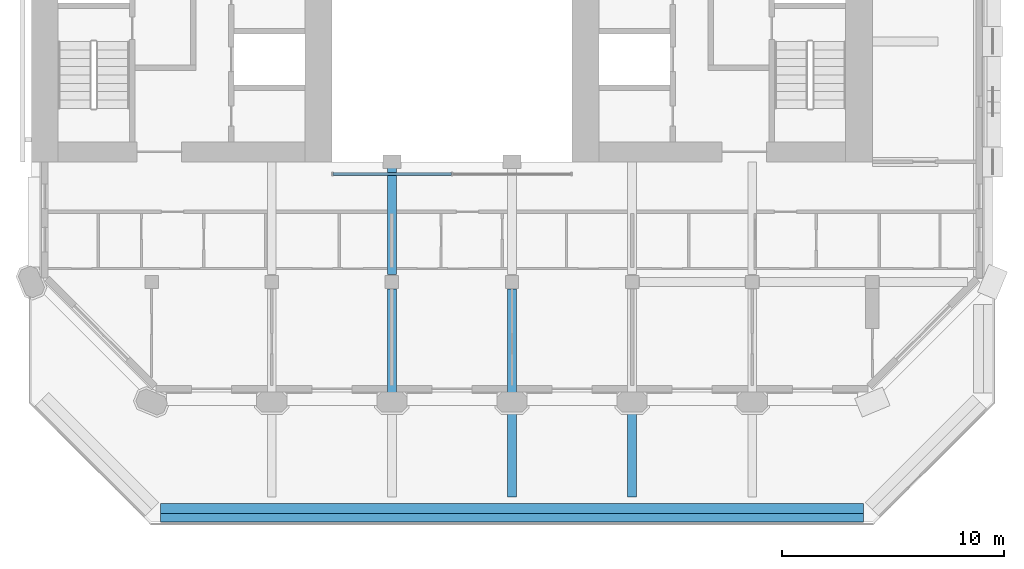
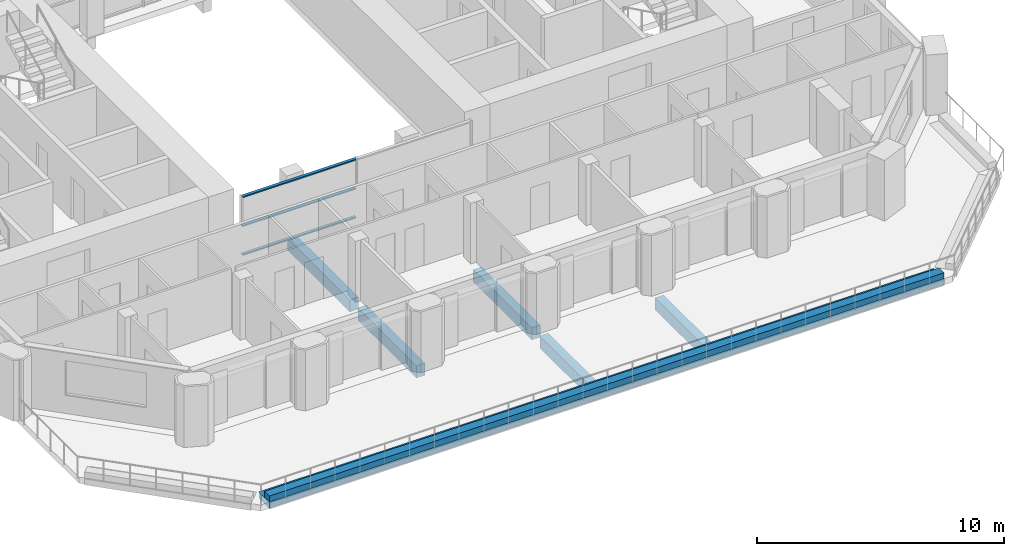
# One storey, part 3 of 17: 7 beams, 3 members, 1 element without a shape of its own.
"""IFC4 building model written with IfcOpenShell, lengths in metres."""

from ifc_helpers import new_model, si_unit, direction, frame, origin, origin_2d, place, context, subcontext, project, spatial, rectangle, extrude, material, material_profile, profile_set, type_object, element, aggregate, save


model = new_model("IFC4")

# Units and contexts
model_context = context("Model", 3, precision=1e-05, world=origin(), true_north=direction((0.0, 1.0)))
body_context = subcontext(model_context, "Body", "Model", "MODEL_VIEW")
ifc_project = project(units=[si_unit("LENGTHUNIT", "METRE"), si_unit("AREAUNIT", "SQUARE_METRE"), si_unit("VOLUMEUNIT", "CUBIC_METRE"), si_unit("PLANEANGLEUNIT", "RADIAN"), si_unit("MASSUNIT", "GRAM", prefix="KILO")], contexts=[model_context])

# Site, building, storey
site_placement = place(None, origin())
site = spatial("IfcSite", under=ifc_project, at=site_placement, CompositionType="ELEMENT")
building_placement = place(site_placement, origin())
building = spatial("IfcBuilding", under=site, at=building_placement, Name="Tabaq Tower and Sports Hall", CompositionType="ELEMENT")
storey_placement = place(building_placement, frame((0.0, 0.0, 288.39990234375)))
storey = spatial("IfcBuildingStorey", under=building, at=storey_placement, Name="L71", CompositionType="ELEMENT", Elevation=288.39990234375)

# Curtain wall, members
ifc_material_1 = material(Name="Aluminium alloy 6063-T6 framed glazing", Category="aluminium")
curtain_wall_type = type_object("IfcCurtainWallType", Name="CW1 curtain wall", PredefinedType="USERDEFINED", material=ifc_material_1)
curtain_wall_placement = place(storey_placement, origin())
curtain_wall = element("IfcCurtainWall", 1, at=curtain_wall_placement, inside=storey, type_object=curtain_wall_type, Name="Atrium glazing L71 S", ObjectType="ATRIUM ENCLOSURE", PredefinedType="USERDEFINED")
ifc_material_2 = material(Name="Aluminium alloy 6063-T6", Category="aluminium")
ifc_material_profile_1 = material_profile(ifc_material_2, rectangle(XDim=0.139892578125, YDim=0.06005859375, at=origin_2d()), Name="TRANSOM 140x60")
ifc_profile_set_1 = profile_set([ifc_material_profile_1], Name="Aluminium alloy 6063-T6")
member_type = type_object("IfcMemberType", Name="CW1 transom 140x60", PredefinedType="USERDEFINED", material=ifc_profile_set_1)
member_1_placement = place(storey_placement, frame((18.9599609375, 15.64990234375, 0.070068359375), z_axis=(1.0, 0.0, 0.0), x_axis=(0.0, 1.0, 0.0)))
member_1 = element("IfcMember", 2, at=member_1_placement, type_object=member_type, Name="CW1 transom 1.1", ObjectType="TRANSOM", PredefinedType="USERDEFINED", context=body_context, shape_type="SweptSolid", body=[
    extrude(rectangle(XDim=0.139892578125, YDim=0.06005859375, at=origin_2d()), origin(), (0.0, 0.0, 1.0), 5.31005859375),
])
member_2_placement = place(storey_placement, frame((18.9599609375, 15.64990234375, 1.5), z_axis=(1.0, 0.0, 0.0), x_axis=(0.0, 1.0, 0.0)))
member_2 = element("IfcMember", 3, at=member_2_placement, type_object=member_type, Name="CW1 transom 1.2", ObjectType="TRANSOM", PredefinedType="USERDEFINED", context=body_context, shape_type="SweptSolid", body=[
    extrude(rectangle(XDim=0.139892578125, YDim=0.06005859375, at=origin_2d()), origin(), (0.0, 0.0, 1.0), 5.31005859375),
])
member_3_placement = place(storey_placement, frame((18.9599609375, 15.64990234375, 2.93017578125), z_axis=(1.0, 0.0, 0.0), x_axis=(0.0, 1.0, 0.0)))
member_3 = element("IfcMember", 4, at=member_3_placement, type_object=member_type, Name="CW1 transom 1.3", ObjectType="TRANSOM", PredefinedType="USERDEFINED", context=body_context, shape_type="SweptSolid", body=[
    extrude(rectangle(XDim=0.139892578125, YDim=0.06005859375, at=origin_2d()), origin(), (0.0, 0.0, 1.0), 5.31005859375),
])
aggregate(curtain_wall, [member_1, member_2, member_3])

# Beams
ifc_material_3 = material(Name="Concrete C40/50", Category="concrete")
ifc_material_profile_2 = material_profile(ifc_material_3, rectangle(XDim=0.39990234375, YDim=0.60009765625, at=origin_2d()), Name="CB 400x600")
ifc_profile_set_2 = profile_set([ifc_material_profile_2], Name="Concrete C40/50")
beam_type_1 = type_object("IfcBeamType", Name="PT CANTILEVER BEAM CB 400x600 C40/50", PredefinedType="BEAM", material=ifc_profile_set_2)
beam_1_placement = place(storey_placement, frame((21.60009765625, 5.72509765625, -0.599853515625), z_axis=(0.0, 1.0, 0.0), x_axis=(-1.0, 0.0, 0.0)))
element("IfcBeam", 5, at=beam_1_placement, inside=storey, type_object=beam_type_1, Name="Cantilever Beam L71 S4 span 2", PredefinedType="BEAM", context=body_context, shape_type="SweptSolid", body=[
    extrude(rectangle(XDim=0.39990234375, YDim=0.60009765625, at=origin_2d()), origin(), (0.0, 0.0, 1.0), 4.75),
])
beam_2_placement = place(storey_placement, frame((21.60009765625, 11.125, -0.599853515625), z_axis=(0.0, 1.0, 0.0), x_axis=(-1.0, 0.0, 0.0)))
element("IfcBeam", 6, at=beam_2_placement, inside=storey, type_object=beam_type_1, Name="Cantilever Beam L71 S4 span 3", PredefinedType="BEAM", context=body_context, shape_type="SweptSolid", body=[
    extrude(rectangle(XDim=0.39990234375, YDim=0.60009765625, at=origin_2d()), origin(), (0.0, 0.0, 1.0), 5.074951171875),
])
beam_3_placement = place(storey_placement, frame((27.0, 1.125, -0.599853515625), z_axis=(0.0, 1.0, 0.0), x_axis=(-1.0, 0.0, 0.0)))
element("IfcBeam", 7, at=beam_3_placement, inside=storey, type_object=beam_type_1, Name="Cantilever Beam L71 S5 span 1", PredefinedType="BEAM", context=body_context, shape_type="SweptSolid", body=[
    extrude(rectangle(XDim=0.39990234375, YDim=0.60009765625, at=origin_2d()), origin(), (0.0, 0.0, 1.0), 3.949951171875),
])
beam_4_placement = place(storey_placement, frame((27.0, 5.72509765625, -0.599853515625), z_axis=(0.0, 1.0, 0.0), x_axis=(-1.0, 0.0, 0.0)))
element("IfcBeam", 8, at=beam_4_placement, inside=storey, type_object=beam_type_1, Name="Cantilever Beam L71 S5 span 2", PredefinedType="BEAM", context=body_context, shape_type="SweptSolid", body=[
    extrude(rectangle(XDim=0.39990234375, YDim=0.60009765625, at=origin_2d()), origin(), (0.0, 0.0, 1.0), 4.75),
])
beam_5_placement = place(storey_placement, frame((32.39990234375, 1.125, -0.599853515625), z_axis=(0.0, 1.0, 0.0), x_axis=(-1.0, 0.0, 0.0)))
element("IfcBeam", 9, at=beam_5_placement, inside=storey, type_object=beam_type_1, Name="Cantilever Beam L71 S6 span 1", PredefinedType="BEAM", context=body_context, shape_type="SweptSolid", body=[
    extrude(rectangle(XDim=0.39990234375, YDim=0.60009765625, at=origin_2d()), origin(), (0.0, 0.0, 1.0), 3.949951171875),
])
ifc_material_4 = material(Name="Concrete C40/50", Category="concrete")
ifc_material_profile_3 = material_profile(ifc_material_4, rectangle(XDim=0.85009765625, YDim=0.300048828125, at=origin_2d()), Name="EB 850x300")
ifc_profile_set_3 = profile_set([ifc_material_profile_3], Name="Concrete C40/50")
beam_type_2 = type_object("IfcBeamType", Name="PT EDGE BEAM EB 850x300 C40/50", PredefinedType="SPANDREL", material=ifc_profile_set_3)
beam_6_placement = place(storey_placement, frame((11.2021484375, 0.425048828125, -0.14990234375), z_axis=(1.0, 0.0, 0.0), x_axis=(0.0, 1.0, 0.0)))
element("IfcBeam", 10, at=beam_6_placement, inside=storey, type_object=beam_type_2, Name="Edge Beam L71 8", PredefinedType="SPANDREL", context=body_context, shape_type="SweptSolid", body=[
    extrude(rectangle(XDim=0.85009765625, YDim=0.300048828125, at=origin_2d()), origin(), (0.0, 0.0, 1.0), 31.595703125),
])
ifc_material_5 = material(Name="Concrete C40/50", Category="concrete")
ifc_material_profile_4 = material_profile(ifc_material_5, rectangle(XDim=0.39990234375, YDim=0.300048828125, at=origin_2d()), Name="EU 400x300")
ifc_profile_set_4 = profile_set([ifc_material_profile_4], Name="Concrete C40/50")
beam_type_3 = type_object("IfcBeamType", Name="PT EDGE UPSTAND EU 400x300 C40/50", PredefinedType="BEAM", material=ifc_profile_set_4)
beam_7_placement = place(storey_placement, frame((11.2021484375, 0.199951171875, 0.150146484375), z_axis=(1.0, 0.0, 0.0), x_axis=(0.0, 1.0, 0.0)))
element("IfcBeam", 11, at=beam_7_placement, inside=storey, type_object=beam_type_3, Name="Edge Upstand L71 8", PredefinedType="BEAM", context=body_context, shape_type="SweptSolid", body=[
    extrude(rectangle(XDim=0.39990234375, YDim=0.300048828125, at=origin_2d()), origin(), (0.0, 0.0, 1.0), 31.595703125),
])

save(model, "model.ifc")
